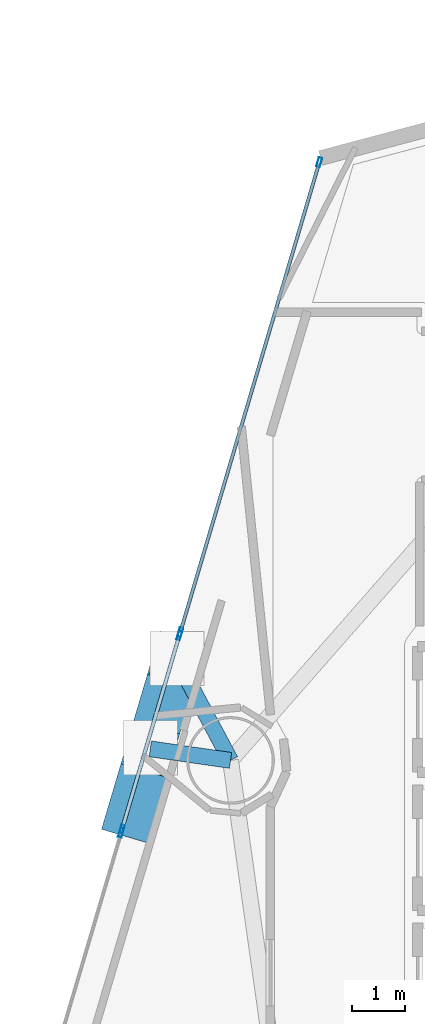
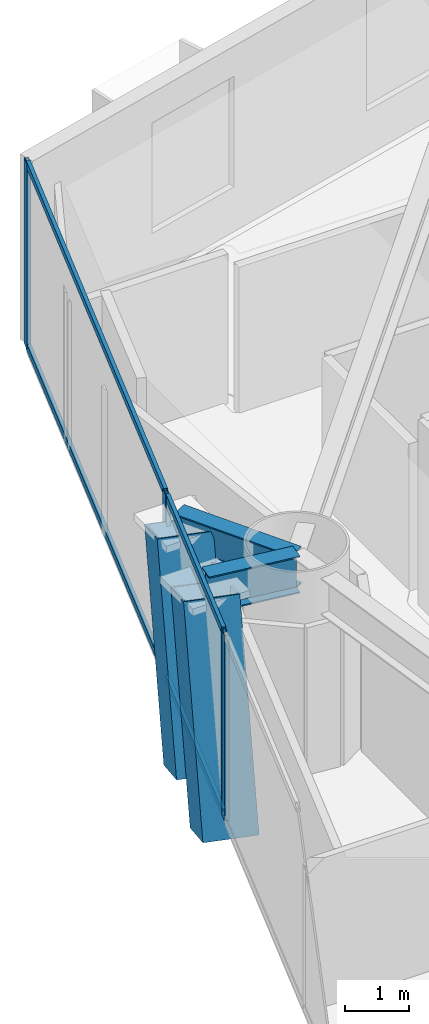
# One storey, part 8 of 23: 11 members, 2 beams, 3 elements without a shape of their own.
"""IFC4 building model written with IfcOpenShell, lengths in metres."""

import ifcopenshell
import ifcopenshell.guid

model = None  # the IFC model being written
_history = None  # IfcOwnerHistory: only IFC2X3 demands one
_inside = {}  # id of a spatial element -> (the spatial element, [elements in it])
_under = {}  # id of a project, library or spatial element -> (it, [spatial elements below it])
_declared = {}  # id of a project -> (the project, [libraries it declares])
_typed = {}  # id of a type object -> (the type object, [elements of that type])
_made_of = {}  # id of a material, layer set ... -> (it, [elements and type objects made of it])


def new_model(schema):
    """Start an empty IFC model of exactly this schema.

    Asked for "IFC4X3", IfcOpenShell would pick the latest addendum, in which some entities
    have other attributes; the version numbers below select the first issue.
    IFC2X3 requires an IfcOwnerHistory on every rooted entity: one is made here for all.
    """
    global model, _history
    if schema == "IFC4X3":
        model = ifcopenshell.file(schema_version=(4, 3, 0, 0))
    else:
        model = ifcopenshell.file(schema=schema)
    _inside.clear()
    _under.clear()
    _declared.clear()
    _typed.clear()
    _made_of.clear()
    _history = None
    if model.schema == "IFC2X3":
        org = make("IfcOrganization", Name="unknown")
        user = make(
            "IfcPersonAndOrganization",
            ThePerson=make("IfcPerson", FamilyName="unknown"),
            TheOrganization=org,
        )
        app = make(
            "IfcApplication",
            ApplicationDeveloper=org,
            Version="unknown",
            ApplicationFullName="unknown",
            ApplicationIdentifier="unknown",
        )
        _history = make(
            "IfcOwnerHistory",
            OwningUser=user,
            OwningApplication=app,
            ChangeAction="ADDED",
            CreationDate=0,
        )
    return model


def make(cls, **values):
    """One entity of the class cls with the attributes given. An attribute that is None is left unset."""
    return model.create_entity(
        cls, **{name: value for name, value in values.items() if value is not None}
    )


def rooted(cls, **values):
    """An entity with a GlobalId (a new one), such as an element, a storey or a relation."""
    return make(cls, GlobalId=ifcopenshell.guid.new(), OwnerHistory=_history, **values)


def si_unit(unit_type, name, prefix=None):
    """IfcSIUnit, for example si_unit("LENGTHUNIT", "METRE", prefix="MILLI")."""
    return make("IfcSIUnit", UnitType=unit_type, Prefix=prefix, Name=name)


def assignment(units):
    """IfcUnitAssignment: the units of a project."""
    return None if units is None else make("IfcUnitAssignment", Units=units)


def point(xyz):
    """IfcCartesianPoint."""
    return None if xyz is None else make("IfcCartesianPoint", Coordinates=xyz)


def direction(xyz):
    """IfcDirection."""
    return None if xyz is None else make("IfcDirection", DirectionRatios=xyz)


def frame(location, z_axis=None, x_axis=None):
    """IfcAxis2Placement3D, a coordinate frame: its origin and axes. An axis left out is left unset."""
    return make(
        "IfcAxis2Placement3D",
        Location=point(location),
        Axis=direction(z_axis),
        RefDirection=direction(x_axis),
    )


def frame_2d(location, x_axis=None):
    """IfcAxis2Placement2D, a coordinate frame in the plane: its origin and x axis."""
    return make(
        "IfcAxis2Placement2D", Location=point(location), RefDirection=direction(x_axis)
    )


def origin():
    """The frame at (0, 0, 0) with its axes left unset."""
    return frame((0.0, 0.0, 0.0))


def origin_2d():
    """The frame at (0, 0) in the plane with its x axis left unset."""
    return frame_2d((0.0, 0.0))


def place(relative_to, where):
    """IfcLocalPlacement: puts the frame where relative to a parent placement (None: the world)."""
    return make(
        "IfcLocalPlacement", PlacementRelTo=relative_to, RelativePlacement=where
    )


def context(
    kind, dimensions, precision=None, world=None, true_north=None, identifier=None
):
    """IfcGeometricRepresentationContext, for example the 3D "Model" context."""
    return make(
        "IfcGeometricRepresentationContext",
        ContextIdentifier=identifier,
        ContextType=kind,
        CoordinateSpaceDimension=dimensions,
        Precision=precision,
        WorldCoordinateSystem=world,
        TrueNorth=true_north,
    )


def subcontext(parent, identifier, kind, view, scale=None):
    """IfcGeometricRepresentationSubContext, for example "Body" below "Model"."""
    return make(
        "IfcGeometricRepresentationSubContext",
        ContextIdentifier=identifier,
        ContextType=kind,
        ParentContext=parent,
        TargetScale=scale,
        TargetView=view,
    )


def project(units=None, contexts=None):
    """IfcProject with its units and contexts."""
    return rooted(
        "IfcProject",
        Name="project",
        RepresentationContexts=contexts,
        UnitsInContext=assignment(units),
    )


def spatial(cls, under=None, at=None, **own):
    """A site, building, storey or space (cls), placed at a placement, below another one or the project."""
    s = rooted(cls, ObjectPlacement=at, **own)
    if under is not None:
        _under.setdefault(under.id(), (under, []))[1].append(s)
    return s


def profile(cls, at=None, kind="AREA", **sizes):
    """A parametric profile (cls). Its sizes go by their IFC names, for example OverallWidth=200.0."""
    return make(cls, ProfileType=kind, Position=at, **sizes)


def hollow_rectangle(**sizes):
    """IfcRectangleHollowProfileDef."""
    return profile("IfcRectangleHollowProfileDef", **sizes)


def i_section(**sizes):
    """IfcIShapeProfileDef."""
    return profile("IfcIShapeProfileDef", **sizes)


def extrude(swept, where, along, depth):
    """IfcExtrudedAreaSolid: the profile swept, set in the frame where, extruded along a direction by depth."""
    return make(
        "IfcExtrudedAreaSolid",
        SweptArea=swept,
        Position=where,
        ExtrudedDirection=direction(along),
        Depth=depth,
    )


def shape(context_of_items, identifier, shape_type, items):
    """IfcShapeRepresentation: the items that make up one representation, for example the "Body"."""
    return make(
        "IfcShapeRepresentation",
        ContextOfItems=context_of_items,
        RepresentationIdentifier=identifier,
        RepresentationType=shape_type,
        Items=items,
    )


def material(Name=None, Category=None):
    """IfcMaterial."""
    return make("IfcMaterial", Name=Name, Category=Category)


def layer(
    of_material, thickness, ventilated=None, Name=None, Category=None, Priority=None
):
    """IfcMaterialLayer: one layer of a wall or slab, of a material (None: an air gap)."""
    return make(
        "IfcMaterialLayer",
        Material=of_material,
        LayerThickness=thickness,
        IsVentilated=ventilated,
        Name=Name,
        Category=Category,
        Priority=Priority,
    )


def layer_set(layers, Name=None):
    """IfcMaterialLayerSet."""
    return make("IfcMaterialLayerSet", MaterialLayers=layers, LayerSetName=Name)


def material_profile(
    of_material, cross_section, Name=None, Category=None, Priority=None
):
    """IfcMaterialProfile: a cross section and its material."""
    return make(
        "IfcMaterialProfile",
        Name=Name,
        Material=of_material,
        Profile=cross_section,
        Priority=Priority,
        Category=Category,
    )


def profile_set(profiles, Name=None, composite=None):
    """IfcMaterialProfileSet."""
    return make(
        "IfcMaterialProfileSet",
        Name=Name,
        MaterialProfiles=profiles,
        CompositeProfile=composite,
    )


def made_of(thing, what):
    """Note that an element or type object is made of a material, layer set ...; save() writes the relation."""
    if what is not None:
        _made_of.setdefault(what.id(), (what, []))[1].append(thing)
    return thing


def type_object(cls, material=None, **own):
    """A type object (cls), such as IfcWallType, which elements share."""
    return made_of(rooted(cls, **own), material)


def element(
    cls,
    number,
    at=None,
    inside=None,
    cuts=None,
    type_object=None,
    material=None,
    context=None,
    identifier="Body",
    shape_type=None,
    held_by="IfcProductDefinitionShape",
    body=None,
    shapes=None,
    **own,
):
    """One element of the class cls, such as IfcWall. Its Tag is "e" and its number.

    at: its placement. inside: the storey or other place that contains it. cuts: it is an
    opening in that element (IfcRelVoidsElement). A single representation is given by context,
    identifier, shape_type and body (its items); several are given by shapes. held_by: the class
    of the entity that holds the representations. save() writes the other relations.
    """
    e = rooted(cls, Tag="e%d" % number, ObjectPlacement=at, **own)
    if body is not None:
        shapes = [shape(context, identifier, shape_type, body)]
    if shapes is not None:
        e.Representation = make(held_by, Representations=shapes)
    if inside is not None:
        _inside.setdefault(inside.id(), (inside, []))[1].append(e)
    if cuts is not None:
        rooted(
            "IfcRelVoidsElement", RelatingBuildingElement=cuts, RelatedOpeningElement=e
        )
    if type_object is not None:
        _typed.setdefault(type_object.id(), (type_object, []))[1].append(e)
    return made_of(e, material)


def aggregate(whole, parts):
    """IfcRelAggregates: a whole, such as a stair, and the parts it consists of."""
    return rooted("IfcRelAggregates", RelatingObject=whole, RelatedObjects=parts)


def save(model, path):
    """Write the relations noted so far, then the file.

    IfcRelAggregates (storeys below a building ...), IfcRelContainedInSpatialStructure (elements
    in a storey), IfcRelDefinesByType, IfcRelAssociatesMaterial and IfcRelDeclares: one each for
    every whole, place, type object, material and project.
    """
    for whole, parts in _under.values():
        aggregate(whole, parts)
    for where, things in _inside.values():
        rooted(
            "IfcRelContainedInSpatialStructure",
            RelatedElements=things,
            RelatingStructure=where,
        )
    for kind, things in _typed.values():
        rooted("IfcRelDefinesByType", RelatedObjects=things, RelatingType=kind)
    for what, things in _made_of.values():
        rooted("IfcRelAssociatesMaterial", RelatedObjects=things, RelatingMaterial=what)
    for by, libraries in _declared.values():
        rooted("IfcRelDeclares", RelatingContext=by, RelatedDefinitions=libraries)
    model.write(path)


model = new_model("IFC4")

# Units and contexts
model_context = context("Model", 3, precision=1e-05, world=origin(), true_north=direction((0.0, 1.0)))
body_context = subcontext(model_context, "Body", "Model", "MODEL_VIEW")
ifc_project = project(units=[si_unit("LENGTHUNIT", "METRE"), si_unit("AREAUNIT", "SQUARE_METRE"), si_unit("VOLUMEUNIT", "CUBIC_METRE"), si_unit("PLANEANGLEUNIT", "RADIAN"), si_unit("MASSUNIT", "GRAM", prefix="KILO")], contexts=[model_context])

# Site, building, storey
site_placement = place(None, origin())
site = spatial("IfcSite", under=ifc_project, at=site_placement, CompositionType="ELEMENT")
building_placement = place(site_placement, origin())
building = spatial("IfcBuilding", under=site, at=building_placement, Name="Qianvela Tower", CompositionType="ELEMENT")
storey_placement = place(building_placement, frame((0.0, 0.0, 74.699951171875)))
storey = spatial("IfcBuildingStorey", under=building, at=storey_placement, Name="L18", CompositionType="ELEMENT", Elevation=74.699951171875)

# Beams
ifc_material_1 = material(Name="Steel Q355B", Category="steel")
ifc_material_profile_1 = material_profile(ifc_material_1, i_section(OverallWidth=0.300048828125, OverallDepth=0.699951171875, WebThickness=0.012939453125, FlangeThickness=0.02392578125, at=origin_2d()), Name="HN700x300x13x24")
ifc_profile_set_1 = profile_set([ifc_material_profile_1], Name="Steel Q355B")
beam_type = type_object("IfcBeamType", Name="BM-HN700-SPAND", PredefinedType="SPANDREL", material=ifc_profile_set_1)
beam_1_placement = place(storey_placement, frame((22.8291015625, 30.340087890625, 3.16796875), z_axis=(-0.470976956187, 0.88214551336, 0.0), x_axis=(-0.88214551336, -0.470976956187, 0.0)))
element("IfcBeam", 1, at=beam_1_placement, inside=storey, type_object=beam_type, Name="L18 Mega-Brace Column Tie Bracket F2-1", PredefinedType="SPANDREL", context=body_context, shape_type="SweptSolid", body=[
    extrude(i_section(OverallWidth=0.300048828125, OverallDepth=0.699951171875, WebThickness=0.012939453125, FlangeThickness=0.02392578125, at=origin_2d()), origin(), (0.0, 0.0, 1.0), 2.151123046875),
])
beam_2_placement = place(storey_placement, frame((22.8291015625, 30.340087890625, 3.16796875), z_axis=(-0.989808196122, 0.142406934133, 0.0), x_axis=(-0.142406934133, -0.989808196122, 0.0)))
element("IfcBeam", 2, at=beam_2_placement, inside=storey, type_object=beam_type, Name="L18 Mega-Brace Column Tie Bracket F2-2", PredefinedType="SPANDREL", context=body_context, shape_type="SweptSolid", body=[
    extrude(i_section(OverallWidth=0.300048828125, OverallDepth=0.699951171875, WebThickness=0.012939453125, FlangeThickness=0.02392578125, at=origin_2d()), origin(), (0.0, 0.0, 1.0), 1.52587890625),
])

# Curtain wall, members
ifc_material_2 = material(Name="Anodised Architectural Aluminium and Insulated Spandrel Panel", Category="aluminium")
ifc_layer_1 = layer(ifc_material_2, 0.179931640625)
ifc_layer_set_1 = layer_set([ifc_layer_1], Name="Anodised Architectural Aluminium and Insulated Spandrel Panel")
curtain_wall_type_1 = type_object("IfcCurtainWallType", Name="CW-BRACEBAY", PredefinedType="USERDEFINED", material=ifc_layer_set_1)
curtain_wall_1_placement = place(storey_placement, origin())
curtain_wall_1 = element("IfcCurtainWall", 3, at=curtain_wall_1_placement, inside=storey, type_object=curtain_wall_type_1, Name="L18 CW-BRACEBAY Curtain Wall 04B", ObjectType="CURTAIN_WALL_SYSTEM", PredefinedType="USERDEFINED")
ifc_material_3 = material(Name="Anodised Architectural Aluminium 6063-T6", Category="aluminium")
ifc_material_profile_2 = material_profile(ifc_material_3, hollow_rectangle(XDim=0.06494140625, YDim=0.159912109375, WallThickness=0.0048828125, at=origin_2d()), Name="ALU-MULL-65x160")
ifc_profile_set_2 = profile_set([ifc_material_profile_2], Name="Anodised Architectural Aluminium 6063-T6")
member_type_1 = type_object("IfcMemberType", Name="CW-BRACEBAY-MULL", PredefinedType="MULLION", material=ifc_profile_set_2)
member_1_placement = place(storey_placement, frame((21.86572265625, 32.688232421875, 0.0), z_axis=(0.0, 0.0, 1.0), x_axis=(0.958918772612, -0.283680784565, 0.0)))
member_1 = element("IfcMember", 4, at=member_1_placement, type_object=member_type_1, Name="CW-9 mullion 1", PredefinedType="MULLION", context=body_context, shape_type="SweptSolid", body=[
    extrude(hollow_rectangle(XDim=0.06494140625, YDim=0.159912109375, WallThickness=0.0048828125, at=origin_2d()), origin(), (0.0, 0.0, 1.0), 3.52001953125),
])
member_2_placement = place(storey_placement, frame((20.7890625, 29.049072265625, 0.0), z_axis=(0.0, 0.0, 1.0), x_axis=(0.958918772612, -0.283680784565, 0.0)))
member_2 = element("IfcMember", 5, at=member_2_placement, type_object=member_type_1, Name="CW-9 mullion 2", PredefinedType="MULLION", context=body_context, shape_type="SweptSolid", body=[
    extrude(hollow_rectangle(XDim=0.06494140625, YDim=0.159912109375, WallThickness=0.0048828125, at=origin_2d()), origin(), (0.0, 0.0, 1.0), 3.52001953125),
])
ifc_material_4 = material(Name="Anodised Architectural Aluminium 6063-T6", Category="aluminium")
ifc_material_profile_3 = material_profile(ifc_material_4, hollow_rectangle(XDim=0.06494140625, YDim=0.1298828125, WallThickness=0.00439453125, at=origin_2d()), Name="ALU-TRAN-65x130")
ifc_profile_set_3 = profile_set([ifc_material_profile_3], Name="Anodised Architectural Aluminium 6063-T6")
member_type_2 = type_object("IfcMemberType", Name="CW-BRACEBAY-TRAN", PredefinedType="USERDEFINED", material=ifc_profile_set_3)
member_3_placement = place(storey_placement, frame((21.8564453125, 32.656982421875, 0.032470703125), z_axis=(-0.283682696838, -0.958918206895, 0.0), x_axis=(0.958918206895, -0.283682696838, 0.0)))
member_3 = element("IfcMember", 6, at=member_3_placement, type_object=member_type_2, Name="CW-9 transom 1.1", ObjectType="TRANSOM", PredefinedType="USERDEFINED", context=body_context, shape_type="SweptSolid", body=[
    extrude(hollow_rectangle(XDim=0.06494140625, YDim=0.1298828125, WallThickness=0.00439453125, at=origin_2d()), origin(), (0.0, 0.0, 1.0), 3.72998046875),
])
member_4_placement = place(storey_placement, frame((21.8564453125, 32.656982421875, 3.487548828125), z_axis=(-0.283682696838, -0.958918206895, 0.0), x_axis=(0.958918206895, -0.283682696838, 0.0)))
member_4 = element("IfcMember", 7, at=member_4_placement, type_object=member_type_2, Name="CW-9 transom 1.2", ObjectType="TRANSOM", PredefinedType="USERDEFINED", context=body_context, shape_type="SweptSolid", body=[
    extrude(hollow_rectangle(XDim=0.06494140625, YDim=0.1298828125, WallThickness=0.00439453125, at=origin_2d()), origin(), (0.0, 0.0, 1.0), 3.72998046875),
])
aggregate(curtain_wall_1, [member_1, member_2, member_3, member_4])

ifc_material_5 = material(Name="Anodised Architectural Aluminium and Low-E Glass", Category="aluminium")
ifc_layer_2 = layer(ifc_material_5, 0.179931640625)
ifc_layer_set_2 = layer_set([ifc_layer_2], Name="Anodised Architectural Aluminium and Low-E Glass")
curtain_wall_type_2 = type_object("IfcCurtainWallType", Name="CW-COLIV-Z12", PredefinedType="USERDEFINED", material=ifc_layer_set_2)
curtain_wall_2_placement = place(storey_placement, origin())
curtain_wall_2 = element("IfcCurtainWall", 8, at=curtain_wall_2_placement, inside=storey, type_object=curtain_wall_type_2, Name="L18 CW-COLIV-Z12 Curtain Wall 04A", ObjectType="CURTAIN_WALL_SYSTEM", PredefinedType="USERDEFINED")
ifc_material_6 = material(Name="Anodised Architectural Aluminium 6063-T6", Category="aluminium")
ifc_material_profile_4 = material_profile(ifc_material_6, hollow_rectangle(XDim=0.070068359375, YDim=0.179931640625, WallThickness=0.0048828125, at=origin_2d()), Name="ALU-MULL-70x180")
ifc_profile_set_4 = profile_set([ifc_material_profile_4], Name="Anodised Architectural Aluminium 6063-T6")
member_type_3 = type_object("IfcMemberType", Name="CW-COLIV-Z12-MULL", PredefinedType="MULLION", material=ifc_profile_set_4)
member_5_placement = place(storey_placement, frame((24.50048828125, 41.59423828125, 0.0), z_axis=(0.0, 0.0, 1.0), x_axis=(0.958918997598, -0.283680024051, 0.0)))
member_5 = element("IfcMember", 9, at=member_5_placement, type_object=member_type_3, Name="CW-3 mullion 1", PredefinedType="MULLION", context=body_context, shape_type="SweptSolid", body=[
    extrude(hollow_rectangle(XDim=0.070068359375, YDim=0.179931640625, WallThickness=0.0048828125, at=origin_2d()), origin(), (0.0, 0.0, 1.0), 3.52001953125),
])
member_6_placement = place(storey_placement, frame((21.884765625, 32.7529296875, 0.0), z_axis=(0.0, 0.0, 1.0), x_axis=(0.958918997598, -0.283680024051, 0.0)))
member_6 = element("IfcMember", 10, at=member_6_placement, type_object=member_type_3, Name="CW-3 mullion 2", PredefinedType="MULLION", context=body_context, shape_type="SweptSolid", body=[
    extrude(hollow_rectangle(XDim=0.070068359375, YDim=0.179931640625, WallThickness=0.0048828125, at=origin_2d()), origin(), (0.0, 0.0, 1.0), 3.52001953125),
])

# Curtain wall, member
curtain_wall_3_placement = place(storey_placement, origin())
curtain_wall_3 = element("IfcCurtainWall", 11, at=curtain_wall_3_placement, inside=storey, type_object=curtain_wall_type_2, Name="L18 CW-COLIV-Z12 Curtain Wall 04C", ObjectType="CURTAIN_WALL_SYSTEM", PredefinedType="USERDEFINED")
member_7_placement = place(storey_placement, frame((20.77001953125, 28.984375, 0.0), z_axis=(0.0, 0.0, 1.0), x_axis=(0.95892140709, -0.283671879157, 0.0)))
member_7 = element("IfcMember", 12, at=member_7_placement, type_object=member_type_3, Name="CW-3 mullion 1", PredefinedType="MULLION", context=body_context, shape_type="SweptSolid", body=[
    extrude(hollow_rectangle(XDim=0.070068359375, YDim=0.179931640625, WallThickness=0.0048828125, at=origin_2d()), origin(), (0.0, 0.0, 1.0), 3.52001953125),
])
aggregate(curtain_wall_3, [member_7])

# Member
ifc_material_7 = material(Name="Anodised Architectural Aluminium 6063-T6", Category="aluminium")
ifc_material_profile_5 = material_profile(ifc_material_7, hollow_rectangle(XDim=0.06494140625, YDim=0.1298828125, WallThickness=0.00439453125, at=origin_2d()), Name="ALU-TRAN-65x130")
ifc_profile_set_5 = profile_set([ifc_material_profile_5], Name="Anodised Architectural Aluminium 6063-T6")
member_type_4 = type_object("IfcMemberType", Name="CW-COLIV-Z12-TRAN", PredefinedType="USERDEFINED", material=ifc_profile_set_5)
member_8_placement = place(storey_placement, frame((24.490478515625, 41.560791015625, 0.032470703125), z_axis=(-0.283681313522, -0.958918616129, 0.0), x_axis=(0.958918616129, -0.283681313522, 0.0)))
member_8 = element("IfcMember", 13, at=member_8_placement, type_object=member_type_4, Name="CW-3 transom 1.1", ObjectType="TRANSOM", PredefinedType="USERDEFINED", context=body_context, shape_type="SweptSolid", body=[
    extrude(hollow_rectangle(XDim=0.06494140625, YDim=0.1298828125, WallThickness=0.00439453125, at=origin_2d()), origin(), (0.0, 0.0, 1.0), 9.150146484375),
])

member_9_placement = place(storey_placement, frame((24.490478515625, 41.560791015625, 3.487548828125), z_axis=(-0.283681313522, -0.958918616129, 0.0), x_axis=(0.958918616129, -0.283681313522, 0.0)))
member_9 = element("IfcMember", 14, at=member_9_placement, type_object=member_type_4, Name="CW-3 transom 1.2", ObjectType="TRANSOM", PredefinedType="USERDEFINED", context=body_context, shape_type="SweptSolid", body=[
    extrude(hollow_rectangle(XDim=0.06494140625, YDim=0.1298828125, WallThickness=0.00439453125, at=origin_2d()), origin(), (0.0, 0.0, 1.0), 9.150146484375),
])

aggregate(curtain_wall_2, [member_5, member_6, member_8, member_9])

# Members
ifc_material_8 = material(Name="Steel Q420GJC", Category="steel")
ifc_material_profile_6 = material_profile(ifc_material_8, hollow_rectangle(XDim=0.89990234375, YDim=0.89990234375, WallThickness=0.035888671875, at=origin_2d()), Name="MBOX-900x900x36")
ifc_profile_set_6 = profile_set([ifc_material_profile_6], Name="Steel Q420GJC")
member_type_5 = type_object("IfcMemberType", Name="MBR-MBRACE-900", PredefinedType="BRACE", material=ifc_profile_set_6)
member_10_placement = place(storey_placement, frame((21.450927734375, 31.00439453125, -0.531982421875), z_axis=(0.0931773028, 0.314870724913, 0.944549848783), x_axis=(-0.958895711179, 0.283758726883, 0.0)))
element("IfcMember", 15, at=member_10_placement, inside=storey, type_object=member_type_5, Name="L18 Tier 3 Exterior Mega-Brace F2A", PredefinedType="BRACE", context=body_context, shape_type="SweptSolid", body=[
    extrude(hollow_rectangle(XDim=0.89990234375, YDim=0.89990234375, WallThickness=0.035888671875, at=origin_2d()), origin(), (0.0, 0.0, 1.0), 3.917236328125),
])
member_11_placement = place(storey_placement, frame((20.953857421875, 29.32421875, -0.531982421875), z_axis=(0.093179131242, 0.314814576523, 0.944568383925), x_axis=(-0.958880424081, 0.283810380915, 0.0)))
element("IfcMember", 16, at=member_11_placement, inside=storey, type_object=member_type_5, Name="L18 Tier 3 Exterior Mega-Brace F2B", PredefinedType="BRACE", context=body_context, shape_type="SweptSolid", body=[
    extrude(hollow_rectangle(XDim=0.89990234375, YDim=0.89990234375, WallThickness=0.035888671875, at=origin_2d()), origin(), (0.0, 0.0, 1.0), 3.9169921875),
])

save(model, "model.ifc")
